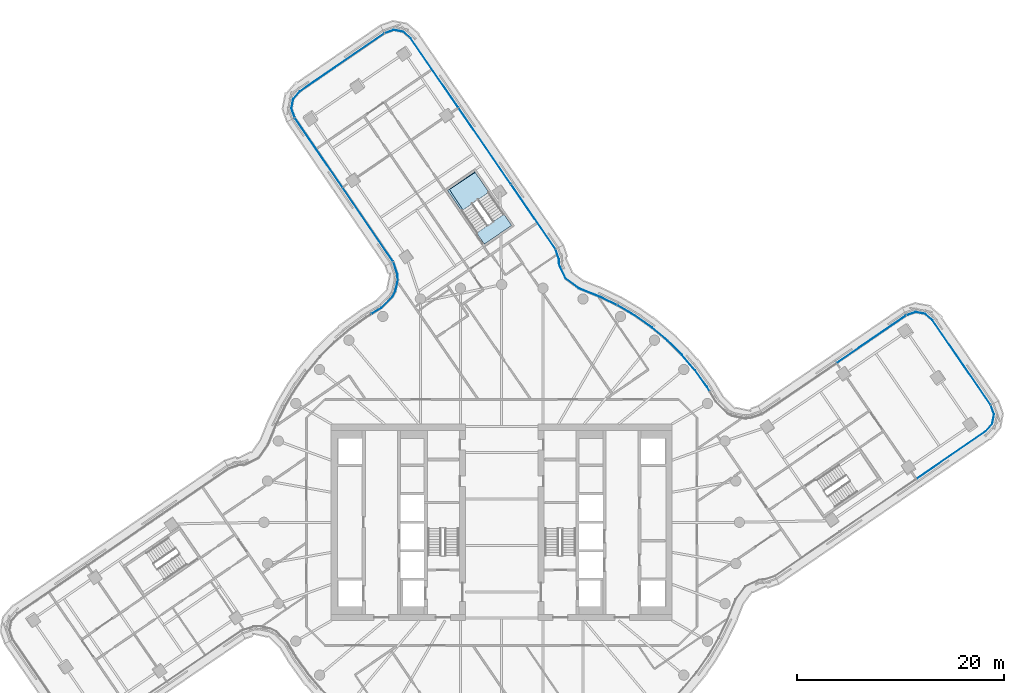
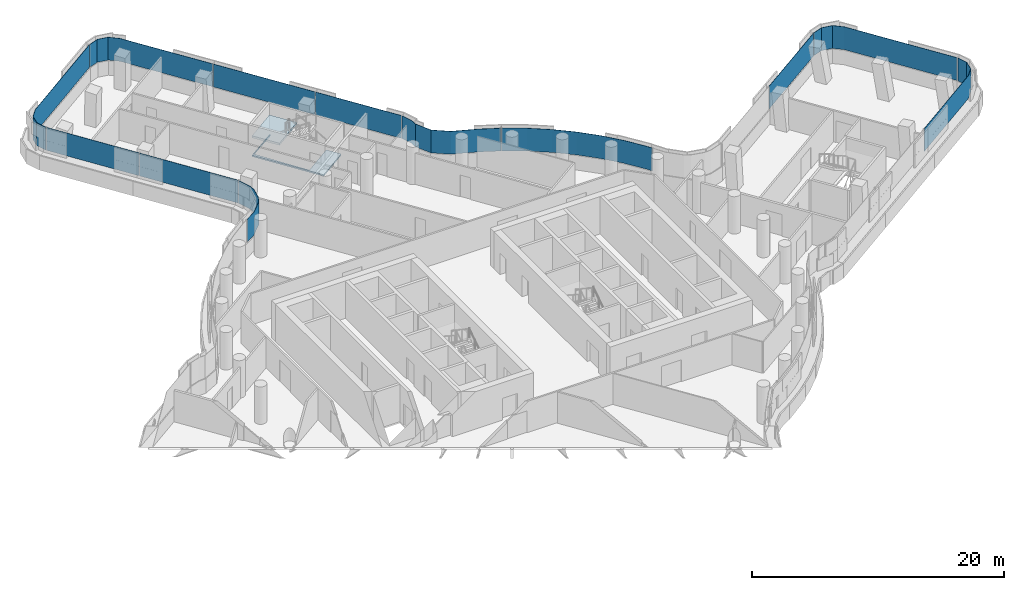
# One storey, part 20 of 33: 12 plates, 2 slabs, 9 elements without a shape of their own.
"""IFC4 building model written with IfcOpenShell, lengths in metres."""

from ifc_helpers import new_model, si_unit, direction, frame, origin, place, context, subcontext, project, spatial, polyline, outline, extrude, material, layer, layer_set, type_object, element, aggregate, save


model = new_model("IFC4")

# Units and contexts
model_context = context("Model", 3, precision=1e-05, world=origin(), true_north=direction((0.0, 1.0)))
body_context = subcontext(model_context, "Body", "Model", "MODEL_VIEW")
ifc_project = project(units=[si_unit("LENGTHUNIT", "METRE"), si_unit("AREAUNIT", "SQUARE_METRE"), si_unit("VOLUMEUNIT", "CUBIC_METRE"), si_unit("PLANEANGLEUNIT", "RADIAN"), si_unit("MASSUNIT", "GRAM", prefix="KILO")], contexts=[model_context])

# Site, building, storey
site_placement = place(None, origin())
site = spatial("IfcSite", under=ifc_project, at=site_placement, CompositionType="ELEMENT")
building_placement = place(site_placement, origin())
building = spatial("IfcBuilding", under=site, at=building_placement, Name="Tamarind Cross Interchange Tower", CompositionType="ELEMENT")
storey_placement = place(building_placement, frame((0.0, 0.0, 159.25)))
storey = spatial("IfcBuildingStorey", under=building, at=storey_placement, Name="L39", CompositionType="ELEMENT", Elevation=159.25)

# Slab
ifc_material_1 = material(Name="Concrete C35", Category="concrete")
ifc_layer_1 = layer(ifc_material_1, 0.139892578125)
ifc_layer_set_1 = layer_set([ifc_layer_1], Name="Concrete C35")
slab_type_1 = type_object("IfcSlabType", Name="Composite slab 140 Concrete C35", PredefinedType="FLOOR", material=ifc_layer_set_1)
slab_1_placement = place(storey_placement, frame((0.0, 0.0, -0.139892578125)))
element("IfcSlab", 1, at=slab_1_placement, inside=storey, type_object=slab_type_1, Name="Floor slab L39", PredefinedType="FLOOR", context=body_context, shape_type="SweptSolid", body=[
    extrude(outline(polyline([(-5.0576171875, 32.201416015625), (-2.55859375, 33.8515625), (-2.60498046875, 33.919189453125), (-5.242919921875, 32.107666015625), (-1.676513671875, 26.914306640625), (0.96142578125, 28.7255859375), (0.21875, 29.807373046875), (-2.323974609375, 28.06103515625), (-5.0576171875, 32.201416015625)])), origin(), (0.0, 0.0, 1.0), 0.139892578125),
])

# Stair, slab
ifc_material_2 = material(Name="Exit stair")
stair_type = type_object("IfcStairType", Name="Exit stair", PredefinedType="HALF_TURN_STAIR", material=ifc_material_2)
stair_placement = place(storey_placement, origin())
stair = element("IfcStair", 2, at=stair_placement, inside=storey, type_object=stair_type, Name="L39 exit stair ST4", PredefinedType="HALF_TURN_STAIR")
ifc_material_3 = material(Name="Concrete C40", Category="concrete")
ifc_layer_2 = layer(ifc_material_3, 0.199951171875)
ifc_layer_set_2 = layer_set([ifc_layer_2], Name="Concrete C40")
slab_type_2 = type_object("IfcSlabType", Name="Stair landing", PredefinedType="LANDING", material=ifc_layer_set_2)
slab_2_placement = place(storey_placement, frame((0.0, 0.0, 1.675048828125)))
slab_2 = element("IfcSlab", 3, at=slab_2_placement, type_object=slab_type_2, Name="ST4 landing 1", PredefinedType="LANDING", context=body_context, shape_type="SweptSolid", body=[
    extrude(outline(polyline([(-1.239501953125, 31.9306640625), (-2.60498046875, 33.919189453125), (-5.242919921875, 32.107666015625), (-3.87744140625, 30.119384765625), (-1.239501953125, 31.9306640625)])), origin(), (0.0, 0.0, 1.0), 0.199951171875),
])
aggregate(stair, [slab_2])

# Curtain wall, plate
ifc_material_4 = material(Name="Aluminium 6063-T6", Category="aluminium")
ifc_layer_3 = layer(ifc_material_4, 0.159912109375)
ifc_layer_set_3 = layer_set([ifc_layer_3], Name="Aluminium 6063-T6")
curtain_wall_type = type_object("IfcCurtainWallType", Name="Office curtain wall, 9.0 m bays", PredefinedType="NOTDEFINED", material=ifc_layer_set_3)
curtain_wall_1_placement = place(storey_placement, origin())
curtain_wall_1 = element("IfcCurtainWall", 4, at=curtain_wall_1_placement, inside=storey, type_object=curtain_wall_type, Name="CWS-L39-07", PredefinedType="NOTDEFINED")
ifc_material_5 = material(Name="Laminated low-e glass 8+1.52+8", Category="glass")
ifc_layer_4 = layer(ifc_material_5, 0.028076171875)
ifc_layer_set_4 = layer_set([ifc_layer_4], Name="Laminated low-e glass 8+1.52+8")
plate_type = type_object("IfcPlateType", Name="Vision panel CW1", PredefinedType="CURTAIN_PANEL", material=ifc_layer_set_4)
plate_1_placement = place(storey_placement, frame((0.0, 0.0, 1.39990234375)))
plate_1 = element("IfcPlate", 5, at=plate_1_placement, type_object=plate_type, Name="CWP-L39-07-02", PredefinedType="CURTAIN_PANEL", context=body_context, shape_type="SweptSolid", body=[
    extrude(outline(polyline([(40.120361328125, 4.211669921875), (46.833984375, 8.822021484375), (47.450927734375, 9.5439453125), (47.619140625, 10.44921875), (47.311767578125, 11.318115234375), (47.338134765625, 11.327392578125), (47.64794921875, 10.451416015625), (47.47705078125, 9.531494140625), (46.852783203125, 8.801025390625), (40.13623046875, 4.1884765625), (40.120361328125, 4.211669921875)])), origin(), (0.0, 0.0, 1.0), 2.210205078125),
])
aggregate(curtain_wall_1, [plate_1])

curtain_wall_2_placement = place(storey_placement, origin())
curtain_wall_2 = element("IfcCurtainWall", 6, at=curtain_wall_2_placement, inside=storey, type_object=curtain_wall_type, Name="CWS-L39-08", PredefinedType="NOTDEFINED")
plate_2_placement = place(storey_placement, frame((0.0, 0.0, 1.39990234375)))
plate_2 = element("IfcPlate", 7, at=plate_2_placement, type_object=plate_type, Name="CWP-L39-08-00", PredefinedType="CURTAIN_PANEL", context=body_context, shape_type="SweptSolid", body=[
    extrude(outline(polyline([(47.286376953125, 11.36767578125), (41.67333984375, 19.54150390625), (40.951416015625, 20.15869140625), (40.04638671875, 20.32666015625), (39.17724609375, 20.019287109375), (39.16796875, 20.045654296875), (40.0439453125, 20.355712890625), (40.9638671875, 20.184814453125), (41.6943359375, 19.560302734375), (47.3095703125, 11.383544921875), (47.286376953125, 11.36767578125)])), origin(), (0.0, 0.0, 1.0), 2.210205078125),
])
aggregate(curtain_wall_2, [plate_2])

curtain_wall_3_placement = place(storey_placement, origin())
curtain_wall_3 = element("IfcCurtainWall", 8, at=curtain_wall_3_placement, inside=storey, type_object=curtain_wall_type, Name="CWS-L39-09", PredefinedType="NOTDEFINED")
plate_3_placement = place(storey_placement, frame((0.0, 0.0, 1.39990234375)))
plate_3 = element("IfcPlate", 9, at=plate_3_placement, type_object=plate_type, Name="CWP-L39-09-00", PredefinedType="CURTAIN_PANEL", context=body_context, shape_type="SweptSolid", body=[
    extrude(outline(polyline([(39.12744140625, 19.993896484375), (32.411865234375, 15.40380859375), (32.39599609375, 15.4267578125), (39.111572265625, 20.01708984375), (39.12744140625, 19.993896484375)])), origin(), (0.0, 0.0, 1.0), 2.210205078125),
])
aggregate(curtain_wall_3, [plate_3])

# Curtain wall, plates
curtain_wall_4_placement = place(storey_placement, origin())
curtain_wall_4 = element("IfcCurtainWall", 10, at=curtain_wall_4_placement, inside=storey, type_object=curtain_wall_type, Name="CWS-L39-10", PredefinedType="NOTDEFINED")
plate_4_placement = place(storey_placement, frame((0.0, 0.0, 1.39990234375)))
plate_4 = element("IfcPlate", 11, at=plate_4_placement, type_object=plate_type, Name="CWP-L39-10-01", PredefinedType="CURTAIN_PANEL", context=body_context, shape_type="SweptSolid", body=[
    extrude(outline(polyline([(20.12158203125, 12.6474609375), (19.853271484375, 13.0927734375), (18.7041015625, 14.687744140625), (17.42724609375, 16.18212890625), (16.031494140625, 17.56591796875), (14.526123046875, 18.829833984375), (12.921630859375, 19.965087890625), (11.228759765625, 20.9638671875), (11.17529296875, 20.98974609375), (11.1875, 21.014892578125), (11.241943359375, 20.98876953125), (12.936767578125, 19.988525390625), (14.543212890625, 18.85205078125), (16.05029296875, 17.586669921875), (17.44775390625, 16.201171875), (18.72607421875, 14.705078125), (19.87646484375, 13.1083984375), (20.1455078125, 12.662109375), (20.12158203125, 12.6474609375)])), origin(), (0.0, 0.0, 1.0), 2.210205078125),
])
plate_5_placement = place(storey_placement, frame((0.0, 0.0, 1.39990234375)))
plate_5 = element("IfcPlate", 12, at=plate_5_placement, type_object=plate_type, Name="CWP-L39-10-02", PredefinedType="CURTAIN_PANEL", context=body_context, shape_type="SweptSolid", body=[
    extrude(outline(polyline([(11.121337890625, 21.015869140625), (9.4580078125, 21.820068359375), (7.4677734375, 22.61328125), (6.193359375, 23.56201171875), (5.5478515625, 24.8984375), (5.517578125, 25.463623046875), (5.197021484375, 26.406005859375), (5.2236328125, 26.4150390625), (5.545166015625, 25.468994140625), (5.575439453125, 24.905517578125), (6.215576171875, 23.580322265625), (7.4814453125, 22.637939453125), (9.469482421875, 21.845703125), (11.133544921875, 21.041015625), (11.121337890625, 21.015869140625)])), origin(), (0.0, 0.0, 1.0), 2.210205078125),
])
aggregate(curtain_wall_4, [plate_4, plate_5])

curtain_wall_5_placement = place(storey_placement, origin())
curtain_wall_5 = element("IfcCurtainWall", 13, at=curtain_wall_5_placement, inside=storey, type_object=curtain_wall_type, Name="CWS-L39-11", PredefinedType="NOTDEFINED")
plate_6_placement = place(storey_placement, frame((0.0, 0.0, 1.39990234375)))
plate_6 = element("IfcPlate", 14, at=plate_6_placement, type_object=plate_type, Name="CWP-L39-11-00", PredefinedType="CURTAIN_PANEL", context=body_context, shape_type="SweptSolid", body=[
    extrude(outline(polyline([(5.172119140625, 26.455810546875), (0.90625, 32.66796875), (0.92919921875, 32.683837890625), (5.1953125, 26.4716796875), (5.172119140625, 26.455810546875)])), origin(), (0.0, 0.0, 1.0), 2.210205078125),
])
plate_7_placement = place(storey_placement, frame((0.0, 0.0, 1.39990234375)))
plate_7 = element("IfcPlate", 15, at=plate_7_placement, type_object=plate_type, Name="CWP-L39-11-01", PredefinedType="CURTAIN_PANEL", context=body_context, shape_type="SweptSolid", body=[
    extrude(outline(polyline([(0.8720703125, 32.71728515625), (-4.177734375, 40.07080078125), (-4.154541015625, 40.086669921875), (0.895263671875, 32.733154296875), (0.8720703125, 32.71728515625)])), origin(), (0.0, 0.0, 1.0), 2.210205078125),
])
plate_8_placement = place(storey_placement, frame((0.0, 0.0, 1.39990234375)))
plate_8 = element("IfcPlate", 16, at=plate_8_placement, type_object=plate_type, Name="CWP-L39-11-02", PredefinedType="CURTAIN_PANEL", context=body_context, shape_type="SweptSolid", body=[
    extrude(outline(polyline([(-4.211669921875, 40.120361328125), (-8.822021484375, 46.833984375), (-9.5439453125, 47.450927734375), (-10.44921875, 47.619140625), (-11.318115234375, 47.311767578125), (-11.327392578125, 47.338134765625), (-10.451416015625, 47.64794921875), (-9.531494140625, 47.47705078125), (-8.801025390625, 46.852783203125), (-4.1884765625, 40.13623046875), (-4.211669921875, 40.120361328125)])), origin(), (0.0, 0.0, 1.0), 2.210205078125),
])
aggregate(curtain_wall_5, [plate_6, plate_7, plate_8])

# Curtain wall, plate
curtain_wall_6_placement = place(storey_placement, origin())
curtain_wall_6 = element("IfcCurtainWall", 17, at=curtain_wall_6_placement, inside=storey, type_object=curtain_wall_type, Name="CWS-L39-12", PredefinedType="NOTDEFINED")
plate_9_placement = place(storey_placement, frame((0.0, 0.0, 1.39990234375)))
plate_9 = element("IfcPlate", 18, at=plate_9_placement, type_object=plate_type, Name="CWP-L39-12-00", PredefinedType="CURTAIN_PANEL", context=body_context, shape_type="SweptSolid", body=[
    extrude(outline(polyline([(-11.36767578125, 47.286376953125), (-19.54150390625, 41.67333984375), (-20.15869140625, 40.951416015625), (-20.32666015625, 40.04638671875), (-20.019287109375, 39.17724609375), (-20.045654296875, 39.16796875), (-20.355712890625, 40.0439453125), (-20.184814453125, 40.9638671875), (-19.560302734375, 41.6943359375), (-11.383544921875, 47.3095703125), (-11.36767578125, 47.286376953125)])), origin(), (0.0, 0.0, 1.0), 2.210205078125),
])
aggregate(curtain_wall_6, [plate_9])

# Curtain wall, plates
curtain_wall_7_placement = place(storey_placement, origin())
curtain_wall_7 = element("IfcCurtainWall", 19, at=curtain_wall_7_placement, inside=storey, type_object=curtain_wall_type, Name="CWS-L39-13", PredefinedType="NOTDEFINED")
plate_10_placement = place(storey_placement, frame((0.0, 0.0, 1.39990234375)))
plate_10 = element("IfcPlate", 20, at=plate_10_placement, type_object=plate_type, Name="CWP-L39-13-00", PredefinedType="CURTAIN_PANEL", context=body_context, shape_type="SweptSolid", body=[
    extrude(outline(polyline([(-19.993896484375, 39.12744140625), (-15.40380859375, 32.411865234375), (-15.4267578125, 32.39599609375), (-20.01708984375, 39.111572265625), (-19.993896484375, 39.12744140625)])), origin(), (0.0, 0.0, 1.0), 2.210205078125),
])
plate_11_placement = place(storey_placement, frame((0.0, 0.0, 1.39990234375)))
plate_11 = element("IfcPlate", 21, at=plate_11_placement, type_object=plate_type, Name="CWP-L39-13-01", PredefinedType="CURTAIN_PANEL", context=body_context, shape_type="SweptSolid", body=[
    extrude(outline(polyline([(-15.369873046875, 32.3623046875), (-10.499755859375, 25.237548828125), (-10.52294921875, 25.2216796875), (-15.39306640625, 32.346435546875), (-15.369873046875, 32.3623046875)])), origin(), (0.0, 0.0, 1.0), 2.210205078125),
])
aggregate(curtain_wall_7, [plate_10, plate_11])

# Curtain wall, plate
curtain_wall_8_placement = place(storey_placement, origin())
curtain_wall_8 = element("IfcCurtainWall", 22, at=curtain_wall_8_placement, inside=storey, type_object=curtain_wall_type, Name="CWS-L39-14", PredefinedType="NOTDEFINED")
plate_12_placement = place(storey_placement, frame((0.0, 0.0, 1.39990234375)))
plate_12 = element("IfcPlate", 23, at=plate_12_placement, type_object=plate_type, Name="CWP-L39-14-00", PredefinedType="CURTAIN_PANEL", context=body_context, shape_type="SweptSolid", body=[
    extrude(outline(polyline([(-10.471435546875, 25.180908203125), (-10.073486328125, 24.01611328125), (-10.040283203125, 23.43017578125), (-10.28125, 22.3310546875), (-10.557861328125, 21.810302734375), (-11.640869140625, 20.728515625), (-12.59619140625, 20.152587890625), (-12.610595703125, 20.176513671875), (-11.658203125, 20.750732421875), (-10.580810546875, 21.8271484375), (-10.307861328125, 22.3408203125), (-10.068603515625, 23.4326171875), (-10.101318359375, 24.0107421875), (-10.498046875, 25.171875), (-10.471435546875, 25.180908203125)])), origin(), (0.0, 0.0, 1.0), 2.210205078125),
])
aggregate(curtain_wall_8, [plate_12])

save(model, "model.ifc")
